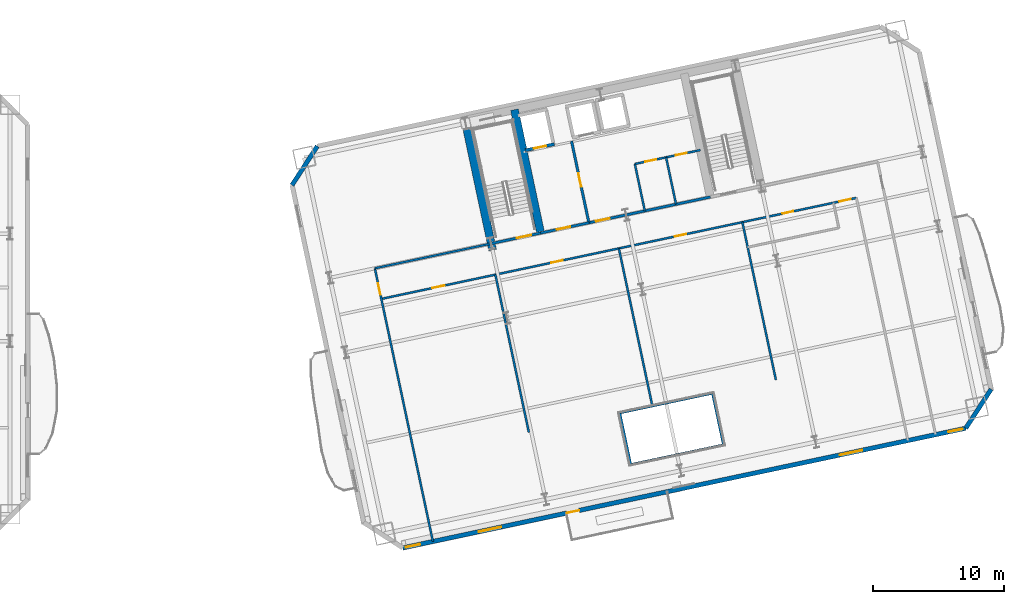
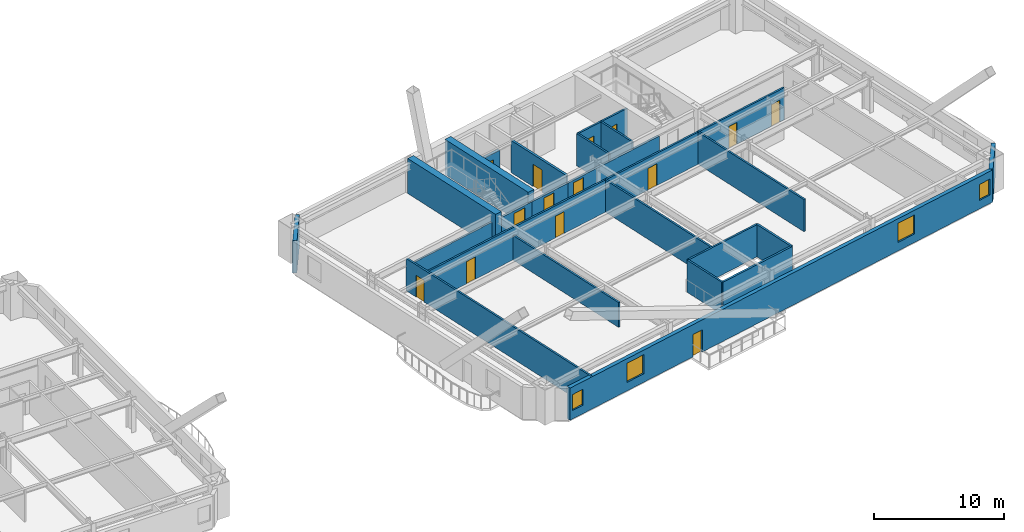
# One storey, part 8 of 18: 23 walls, 14 doors, 4 windows, 18 openings.
"""IFC4 building model written with IfcOpenShell, lengths in metres."""

from ifc_helpers import new_model, si_unit, direction, frame, frame_2d, origin, place, context, subcontext, project, spatial, rectangle, extrude, material, layer, layer_set, type_object, element, fill, save


model = new_model("IFC4")

# Units and contexts
model_context = context("Model", 3, precision=1e-05, world=origin(), true_north=direction((0.0, 1.0)))
body_context = subcontext(model_context, "Body", "Model", "MODEL_VIEW")
ifc_project = project(units=[si_unit("LENGTHUNIT", "METRE"), si_unit("AREAUNIT", "SQUARE_METRE"), si_unit("VOLUMEUNIT", "CUBIC_METRE"), si_unit("PLANEANGLEUNIT", "RADIAN"), si_unit("MASSUNIT", "GRAM", prefix="KILO")], contexts=[model_context])

# Site, building, storey
site_placement = place(None, origin())
site = spatial("IfcSite", under=ifc_project, at=site_placement, CompositionType="ELEMENT")
building_placement = place(site_placement, origin())
building = spatial("IfcBuilding", under=site, at=building_placement, Name="Haevon Station Towers", CompositionType="ELEMENT")
storey_placement = place(building_placement, frame((0.0, 0.0, 60.300048828125)))
storey = spatial("IfcBuildingStorey", under=building, at=storey_placement, Name="L15", CompositionType="ELEMENT", Elevation=60.300048828125)

# Walls
ifc_material_1 = material(Name="Gypsum board on steel stud", Category="steel")
ifc_layer_1 = layer(ifc_material_1, 0.179931640625)
ifc_layer_set_1 = layer_set([ifc_layer_1], Name="Gypsum board on steel stud")
wall_type_1 = type_object("IfcWallType", Name="WL-ACU180", PredefinedType="PARTITIONING", material=ifc_layer_set_1)
wall_1_placement = place(storey_placement, frame((109.379150390625, 20.634521484375, 0.0), z_axis=(0.0, 0.0, 1.0), x_axis=(0.978144974276, 0.207924046946, 0.0)))
element("IfcWall", 1, at=wall_1_placement, inside=storey, type_object=wall_type_1, Name="WL-T2PT-L15-06", PredefinedType="PARTITIONING", context=body_context, shape_type="SweptSolid", body=[
    extrude(rectangle(XDim=7.2001953125, YDim=0.179931640625, at=frame_2d((3.60009765625, 0.0))), origin(), (0.0, 0.0, 1.0), 3.030029296875),
])
wall_2_placement = place(storey_placement, frame((116.421875, 22.131591796875, 0.0), z_axis=(0.0, 0.0, 1.0), x_axis=(-0.207944891454, 0.978140543132, 0.0)))
element("IfcWall", 2, at=wall_2_placement, inside=storey, type_object=wall_type_1, Name="WL-T2PT-L15-09", PredefinedType="PARTITIONING", context=body_context, shape_type="SweptSolid", body=[
    extrude(rectangle(XDim=4.0, YDim=0.179931640625, at=frame_2d((2.0, 0.0))), origin(), (0.0, 0.0, 1.0), 3.030029296875),
])

# Wall, opening, door
ifc_layer_2 = layer(ifc_material_1, 0.199951171875)
ifc_layer_set_2 = layer_set([ifc_layer_2], Name="Gypsum board on steel stud")
wall_type_2 = type_object("IfcWallType", Name="WL-COR200", PredefinedType="PARTITIONING", material=ifc_layer_set_2)
wall_3_placement = place(storey_placement, frame((98.75244140625, 37.4423828125, 0.0), z_axis=(0.0, 0.0, 1.0), x_axis=(0.978143537786, 0.207930804564, 0.0)))
wall_3 = element("IfcWall", 3, at=wall_3_placement, inside=storey, type_object=wall_type_2, Name="WL-ST-ST3-L15", PredefinedType="PARTITIONING", context=body_context, shape_type="SweptSolid", body=[
    extrude(rectangle(XDim=3.85009765625, YDim=0.199951171875, at=frame_2d((1.925048828125, 0.0))), origin(), (0.0, 0.0, 1.0), 2.329833984375),
])
opening_1_placement = place(wall_3_placement, frame((2.0, 0.0, 0.0)))
opening_1 = element("IfcOpeningElement", 4, at=opening_1_placement, cuts=wall_3, Name="Opening DR-ST-ST3-L15", PredefinedType="OPENING", context=body_context, shape_type="SweptSolid", body=[
    extrude(rectangle(XDim=1.1201171875, YDim=2.10009765625, at=frame_2d((0.56005859375, 1.050048828125))), frame((0.0, 0.10986328125, 0.0), z_axis=(0.0, -1.0, 0.0), x_axis=(1.0, 0.0, 0.0)), (0.0, 0.0, 1.0), 0.219970703125),
])
ifc_material_2 = material(Name="Engineered oak timber", Category="wood")
door_type_1 = type_object("IfcDoorType", Name="DR-ST-1120", OperationType="NOTDEFINED", PredefinedType="DOOR", material=ifc_material_2)
door_1_placement = place(opening_1_placement, origin())
door_1 = element("IfcDoor", 5, at=door_1_placement, inside=storey, type_object=door_type_1, Name="L15 Escape Stair ST3 Fire Door", OperationType="SINGLE_SWING_RIGHT", OverallHeight=2.10009765625, OverallWidth=1.1201171875, PredefinedType="DOOR", context=body_context, shape_type="SweptSolid", body=[
    extrude(rectangle(XDim=1.1201171875, YDim=2.10009765625, at=frame_2d((0.56005859375, 1.050048828125))), frame((0.0, 0.02490234375, 0.0), z_axis=(0.0, -1.0, 0.0), x_axis=(1.0, 0.0, 0.0)), (0.0, 0.0, 1.0), 0.050048828125),
])
fill(opening_1, door_1)

wall_4_placement = place(storey_placement, frame((106.186279296875, 39.0224609375, 0.0), z_axis=(0.0, 0.0, 1.0), x_axis=(-0.207916691923, 0.978146537703, 0.0)))
wall_4 = element("IfcWall", 6, at=wall_4_placement, inside=storey, type_object=wall_type_2, Name="WL-T2FFL-L15-E", PredefinedType="PARTITIONING", context=body_context, shape_type="SweptSolid", body=[
    extrude(rectangle(XDim=6.35009765625, YDim=0.199951171875, at=frame_2d((3.175048828125, 0.0))), origin(), (0.0, 0.0, 1.0), 3.030029296875),
])
opening_2_placement = place(wall_4_placement, frame((2.800048828125, 0.0, 0.0)))
opening_2 = element("IfcOpeningElement", 7, at=opening_2_placement, cuts=wall_4, Name="Opening DR-T2FFL-L15-E", PredefinedType="OPENING", context=body_context, shape_type="SweptSolid", body=[
    extrude(rectangle(XDim=1.050048828125, YDim=2.10009765625, at=frame_2d((0.52490234375, 1.050048828125))), frame((0.0, 0.10986328125, 0.0), z_axis=(0.0, -1.0, 0.0), x_axis=(1.0, 0.0, 0.0)), (0.0, 0.0, 1.0), 0.219970703125),
])
door_type_2 = type_object("IfcDoorType", Name="DR-FD60-1050", OperationType="NOTDEFINED", PredefinedType="DOOR", material=ifc_material_2)
door_2_placement = place(opening_2_placement, origin())
door_2 = element("IfcDoor", 8, at=door_2_placement, inside=storey, type_object=door_type_2, Name="L15 Tower 2 Firefighting Lift Lobby Door E", OperationType="SINGLE_SWING_RIGHT", OverallHeight=2.10009765625, OverallWidth=1.050048828125, PredefinedType="DOOR", context=body_context, shape_type="SweptSolid", body=[
    extrude(rectangle(XDim=1.050048828125, YDim=2.10009765625, at=frame_2d((0.52490234375, 1.050048828125))), frame((0.0, 0.02490234375, 0.0), z_axis=(0.0, -1.0, 0.0), x_axis=(1.0, 0.0, 0.0)), (0.0, 0.0, 1.0), 0.050048828125),
])
fill(opening_2, door_2)

wall_5_placement = place(storey_placement, frame((102.518310546875, 38.242919921875, 0.0), z_axis=(0.0, 0.0, 1.0), x_axis=(0.978153555683, 0.20788367301, 0.0)))
wall_5 = element("IfcWall", 9, at=wall_5_placement, inside=storey, type_object=wall_type_2, Name="WL-T2FFL-L15-S", PredefinedType="PARTITIONING", context=body_context, shape_type="SweptSolid", body=[
    extrude(rectangle(XDim=3.75, YDim=0.199951171875, at=frame_2d((1.875, 0.0))), origin(), (0.0, 0.0, 1.0), 2.329833984375),
])
opening_3_placement = place(wall_5_placement, frame((1.25, 0.0, 0.0)))
opening_3 = element("IfcOpeningElement", 10, at=opening_3_placement, cuts=wall_5, Name="Opening DR-T2FFL-L15-S", PredefinedType="OPENING", context=body_context, shape_type="SweptSolid", body=[
    extrude(rectangle(XDim=1.050048828125, YDim=2.10009765625, at=frame_2d((0.52490234375, 1.050048828125))), frame((0.0, 0.10986328125, 0.0), z_axis=(0.0, -1.0, 0.0), x_axis=(1.0, 0.0, 0.0)), (0.0, 0.0, 1.0), 0.219970703125),
])
door_3_placement = place(opening_3_placement, origin())
door_3 = element("IfcDoor", 11, at=door_3_placement, inside=storey, type_object=door_type_2, Name="L15 Tower 2 Firefighting Lift Lobby Door S", OperationType="SINGLE_SWING_LEFT", OverallHeight=2.10009765625, OverallWidth=1.050048828125, PredefinedType="DOOR", context=body_context, shape_type="SweptSolid", body=[
    extrude(rectangle(XDim=1.050048828125, YDim=2.10009765625, at=frame_2d((0.52490234375, 1.050048828125))), frame((0.0, 0.02490234375, 0.0), z_axis=(0.0, -1.0, 0.0), x_axis=(1.0, 0.0, 0.0)), (0.0, 0.0, 1.0), 0.050048828125),
])
fill(opening_3, door_3)

wall_6_placement = place(storey_placement, frame((106.186279296875, 39.0224609375, 0.0), z_axis=(0.0, 0.0, 1.0), x_axis=(0.978145519981, 0.20792147975, 0.0)))
wall_6 = element("IfcWall", 12, at=wall_6_placement, inside=storey, type_object=wall_type_2, Name="WL-T2CLB-L15", PredefinedType="PARTITIONING", context=body_context, shape_type="SweptSolid", body=[
    extrude(rectangle(XDim=9.449951171875, YDim=0.199951171875, at=frame_2d((4.72509765625, 0.0))), origin(), (0.0, 0.0, 1.0), 2.329833984375),
])
opening_4_placement = place(wall_6_placement, frame((0.550048828125, 0.0, 0.0)))
opening_4 = element("IfcOpeningElement", 13, at=opening_4_placement, cuts=wall_6, Name="Opening DR-T2CLB-L15-1", PredefinedType="OPENING", context=body_context, shape_type="SweptSolid", body=[
    extrude(rectangle(XDim=1.050048828125, YDim=2.10009765625, at=frame_2d((0.52490234375, 1.050048828125))), frame((0.0, 0.10986328125, 0.0), z_axis=(0.0, -1.0, 0.0), x_axis=(1.0, 0.0, 0.0)), (0.0, 0.0, 1.0), 0.219970703125),
])
door_4_placement = place(opening_4_placement, origin())
door_4 = element("IfcDoor", 14, at=door_4_placement, inside=storey, type_object=door_type_2, Name="L15 Tower 2 Core Lift Lobby Door 1", OperationType="SINGLE_SWING_RIGHT", OverallHeight=2.10009765625, OverallWidth=1.050048828125, PredefinedType="DOOR", context=body_context, shape_type="SweptSolid", body=[
    extrude(rectangle(XDim=1.050048828125, YDim=2.10009765625, at=frame_2d((0.52490234375, 1.050048828125))), frame((0.0, 0.02490234375, 0.0), z_axis=(0.0, -1.0, 0.0), x_axis=(1.0, 0.0, 0.0)), (0.0, 0.0, 1.0), 0.050048828125),
])
fill(opening_4, door_4)

# Walls
ifc_material_3 = material(Name="Concrete C60/75", Category="concrete")
ifc_layer_3 = layer(ifc_material_3, 0.60009765625)
ifc_layer_set_3 = layer_set([ifc_layer_3], Name="Concrete C60/75")
wall_type_3 = type_object("IfcWallType", Name="WL-CR600", PredefinedType="SHEAR", material=ifc_layer_set_3)
wall_7_placement = place(storey_placement, frame((98.8603515625, 36.933837890625, 0.0), z_axis=(0.0, 0.0, 1.0), x_axis=(-0.20790924889, 0.978148119778, 0.0)))
element("IfcWall", 15, at=wall_7_placement, inside=storey, type_object=wall_type_3, Name="WL-T2CR-L15-W", PredefinedType="SHEAR", context=body_context, shape_type="SweptSolid", body=[
    extrude(rectangle(XDim=10.119873046875, YDim=0.60009765625, at=frame_2d((5.06005859375, 0.0))), origin(), (0.0, 0.0, 1.0), 3.300048828125),
])
wall_8_placement = place(storey_placement, frame((102.518310546875, 38.242919921875, 0.0), z_axis=(0.0, 0.0, 1.0), x_axis=(-0.207927495108, 0.978144241295, 0.0)))
element("IfcWall", 16, at=wall_8_placement, inside=storey, type_object=wall_type_3, Name="WL-T2CR-L15-M1", PredefinedType="SHEAR", context=body_context, shape_type="SweptSolid", body=[
    extrude(rectangle(XDim=9.599853515625, YDim=0.60009765625, at=frame_2d((4.7998046875, 0.0))), origin(), (0.0, 0.0, 1.0), 3.300048828125),
])

# Wall, openings, door, windows
ifc_material_4 = material(Name="Precast concrete C45/55", Category="concrete")
ifc_layer_4 = layer(ifc_material_4, 0.340087890625)
ifc_layer_set_4 = layer_set([ifc_layer_4], Name="Precast concrete C45/55")
wall_type_4 = type_object("IfcWallType", Name="WL-EXT-PIER340", PredefinedType="SOLIDWALL", material=ifc_layer_set_4)
wall_9_placement = place(storey_placement, frame((134.862548828125, 23.39306640625, 0.0), z_axis=(0.0, 0.0, 1.0), x_axis=(-0.978148154167, -0.207909087104, 0.0)))
wall_9 = element("IfcWall", 17, at=wall_9_placement, inside=storey, type_object=wall_type_4, Name="WL-T2-L15-S", PredefinedType="SOLIDWALL", context=body_context, shape_type="SweptSolid", body=[
    extrude(rectangle(XDim=43.800048828125, YDim=0.340087890625, at=frame_2d((21.89990234375, 0.0))), origin(), (0.0, 0.0, 1.0), 3.030029296875),
])
opening_5_placement = place(wall_9_placement, frame((30.074951171875, 0.0, 0.0)))
opening_5 = element("IfcOpeningElement", 18, at=opening_5_placement, cuts=wall_9, Name="Opening DR-T2-PBAND-L15-1", PredefinedType="OPENING", context=body_context, shape_type="SweptSolid", body=[
    extrude(rectangle(XDim=0.949951171875, YDim=2.10009765625, at=frame_2d((0.47509765625, 1.050048828125))), frame((0.0, 0.179931640625, 0.0), z_axis=(0.0, -1.0, 0.0), x_axis=(1.0, 0.0, 0.0)), (0.0, 0.0, 1.0), 0.360107421875),
])
opening_6_placement = place(wall_9_placement, frame((42.449951171875, 0.0, 0.800048828125)))
opening_6 = element("IfcOpeningElement", 19, at=opening_6_placement, cuts=wall_9, Name="Opening WN-COR110", PredefinedType="OPENING", context=body_context, shape_type="SweptSolid", body=[
    extrude(rectangle(XDim=1.10009765625, YDim=1.5, at=frame_2d((0.550048828125, 0.75))), frame((0.0, 0.179931640625, 0.0), z_axis=(0.0, -1.0, 0.0), x_axis=(1.0, 0.0, 0.0)), (0.0, 0.0, 1.0), 0.360107421875),
])
opening_7_placement = place(wall_9_placement, frame((0.25, 0.0, 0.800048828125)))
opening_7 = element("IfcOpeningElement", 20, at=opening_7_placement, cuts=wall_9, Name="Opening WN-COR110", PredefinedType="OPENING", context=body_context, shape_type="SweptSolid", body=[
    extrude(rectangle(XDim=1.10009765625, YDim=1.5, at=frame_2d((0.550048828125, 0.75))), frame((0.0, 0.179931640625, 0.0), z_axis=(0.0, -1.0, 0.0), x_axis=(1.0, 0.0, 0.0)), (0.0, 0.0, 1.0), 0.360107421875),
])
opening_8_placement = place(wall_9_placement, frame((36.14111328125, 0.0, 0.800048828125)))
opening_8 = element("IfcOpeningElement", 21, at=opening_8_placement, cuts=wall_9, Name="Opening WN-P175", PredefinedType="OPENING", context=body_context, shape_type="SweptSolid", body=[
    extrude(rectangle(XDim=1.75, YDim=1.800048828125, at=frame_2d((0.875, 0.89990234375))), frame((0.0, 0.179931640625, 0.0), z_axis=(0.0, -1.0, 0.0), x_axis=(1.0, 0.0, 0.0)), (0.0, 0.0, 1.0), 0.360107421875),
])
opening_9_placement = place(wall_9_placement, frame((8.05908203125, 0.0, 0.800048828125)))
opening_9 = element("IfcOpeningElement", 22, at=opening_9_placement, cuts=wall_9, Name="Opening WN-P175", PredefinedType="OPENING", context=body_context, shape_type="SweptSolid", body=[
    extrude(rectangle(XDim=1.75, YDim=1.800048828125, at=frame_2d((0.875, 0.89990234375))), frame((0.0, 0.179931640625, 0.0), z_axis=(0.0, -1.0, 0.0), x_axis=(1.0, 0.0, 0.0)), (0.0, 0.0, 1.0), 0.360107421875),
])
ifc_material_5 = material(Name="Thermally broken anodised aluminium and laminated safety glass", Category="aluminium")
door_type_3 = type_object("IfcDoorType", Name="DR-BALC-950", OperationType="NOTDEFINED", PredefinedType="DOOR", material=ifc_material_5)
door_5_placement = place(opening_5_placement, origin())
door_5 = element("IfcDoor", 23, at=door_5_placement, inside=storey, type_object=door_type_3, Name="Tower 2 L15 Balcony Terrace Door", OperationType="SINGLE_SWING_RIGHT", OverallHeight=2.10009765625, OverallWidth=0.949951171875, PredefinedType="DOOR", context=body_context, shape_type="SweptSolid", body=[
    extrude(rectangle(XDim=0.949951171875, YDim=2.10009765625, at=frame_2d((0.47509765625, 1.050048828125))), frame((0.0, 0.02490234375, 0.0), z_axis=(0.0, -1.0, 0.0), x_axis=(1.0, 0.0, 0.0)), (0.0, 0.0, 1.0), 0.050048828125),
])
fill(opening_5, door_5)
ifc_material_6 = material(Name="Low-E triple glazing in thermally broken aluminium", Category="aluminium")
window_type_1 = type_object("IfcWindowType", Name="WN-COR110", PartitioningType="SINGLE_PANEL", PredefinedType="WINDOW", material=ifc_material_6)
window_1_placement = place(opening_6_placement, origin())
window_1 = element("IfcWindow", 24, at=window_1_placement, inside=storey, type_object=window_type_1, Name="WN-T2-L15-S01", OverallHeight=1.5, OverallWidth=1.10009765625, PartitioningType="SINGLE_PANEL", PredefinedType="WINDOW", context=body_context, shape_type="SweptSolid", body=[
    extrude(rectangle(XDim=1.10009765625, YDim=1.5, at=frame_2d((0.550048828125, 0.75))), frame((0.0, 0.030029296875, 0.0), z_axis=(0.0, -1.0, 0.0), x_axis=(1.0, 0.0, 0.0)), (0.0, 0.0, 1.0), 0.06005859375),
])
fill(opening_6, window_1)
window_2_placement = place(opening_7_placement, origin())
window_2 = element("IfcWindow", 25, at=window_2_placement, inside=storey, type_object=window_type_1, Name="WN-T2-L15-S02", OverallHeight=1.5, OverallWidth=1.10009765625, PartitioningType="SINGLE_PANEL", PredefinedType="WINDOW", context=body_context, shape_type="SweptSolid", body=[
    extrude(rectangle(XDim=1.10009765625, YDim=1.5, at=frame_2d((0.550048828125, 0.75))), frame((0.0, 0.030029296875, 0.0), z_axis=(0.0, -1.0, 0.0), x_axis=(1.0, 0.0, 0.0)), (0.0, 0.0, 1.0), 0.06005859375),
])
fill(opening_7, window_2)
window_type_2 = type_object("IfcWindowType", Name="WN-P175", PartitioningType="SINGLE_PANEL", PredefinedType="WINDOW", material=ifc_material_6)
window_3_placement = place(opening_8_placement, origin())
window_3 = element("IfcWindow", 26, at=window_3_placement, inside=storey, type_object=window_type_2, Name="WN-T2-L15-S03", OverallHeight=1.800048828125, OverallWidth=1.75, PartitioningType="SINGLE_PANEL", PredefinedType="WINDOW", context=body_context, shape_type="SweptSolid", body=[
    extrude(rectangle(XDim=1.75, YDim=1.800048828125, at=frame_2d((0.875, 0.89990234375))), frame((0.0, 0.030029296875, 0.0), z_axis=(0.0, -1.0, 0.0), x_axis=(1.0, 0.0, 0.0)), (0.0, 0.0, 1.0), 0.06005859375),
])
fill(opening_8, window_3)
window_4_placement = place(opening_9_placement, origin())
window_4 = element("IfcWindow", 27, at=window_4_placement, inside=storey, type_object=window_type_2, Name="WN-T2-L15-S04", OverallHeight=1.800048828125, OverallWidth=1.75, PartitioningType="SINGLE_PANEL", PredefinedType="WINDOW", context=body_context, shape_type="SweptSolid", body=[
    extrude(rectangle(XDim=1.75, YDim=1.800048828125, at=frame_2d((0.875, 0.89990234375))), frame((0.0, 0.030029296875, 0.0), z_axis=(0.0, -1.0, 0.0), x_axis=(1.0, 0.0, 0.0)), (0.0, 0.0, 1.0), 0.06005859375),
])
fill(opening_9, window_4)

# Walls
wall_10_placement = place(storey_placement, frame((83.5966796875, 41.888427734375, 0.0), z_axis=(0.0, 0.0, 1.0), x_axis=(0.544653380146, 0.838661251934, 0.0)))
element("IfcWall", 28, at=wall_10_placement, inside=storey, type_object=wall_type_4, Name="WL-T2-L15-NWC", PredefinedType="SOLIDWALL", context=body_context, shape_type="SweptSolid", body=[
    extrude(rectangle(XDim=3.535888671875, YDim=0.340087890625, at=frame_2d((1.76806640625, 0.0))), origin(), (0.0, 0.0, 1.0), 3.030029296875),
])
wall_11_placement = place(storey_placement, frame((136.7880859375, 26.358154296875, 0.0), z_axis=(0.0, 0.0, 1.0), x_axis=(-0.544636352948, -0.838672309694, 0.0)))
element("IfcWall", 29, at=wall_11_placement, inside=storey, type_object=wall_type_4, Name="WL-T2-L15-SEC", PredefinedType="SOLIDWALL", context=body_context, shape_type="SweptSolid", body=[
    extrude(rectangle(XDim=3.535400390625, YDim=0.340087890625, at=frame_2d((1.767578125, 0.0))), origin(), (0.0, 0.0, 1.0), 3.030029296875),
])
ifc_layer_5 = layer(ifc_material_1, 0.159912109375)
ifc_layer_set_5 = layer_set([ifc_layer_5], Name="Gypsum board on steel stud")
wall_type_5 = type_object("IfcWallType", Name="WL-PRT160", PredefinedType="PARTITIONING", material=ifc_layer_set_5)
for number, where, z_axis, x_axis, name in (
    (30, (110.441162109375, 39.927001953125, 0.0), (0.0, 0.0, 1.0), (-0.207884354546, 0.978153410838, 0.0), "WL-T2CW-L15-01"),
    (31, (112.818115234375, 40.43212890625, 0.0), (0.0, 0.0, 1.0), (-0.207884354546, 0.978153410838, 0.0), "WL-T2CW-L15-02"),
):
    element("IfcWall", number, at=place(storey_placement, frame(where, z_axis=z_axis, x_axis=x_axis)), inside=storey, type_object=wall_type_5, Name=name, PredefinedType="PARTITIONING", context=body_context, shape_type="SweptSolid", body=[
        extrude(rectangle(XDim=3.650146484375, YDim=0.159912109375, at=frame_2d((1.8251953125, 0.0))), origin(), (0.0, 0.0, 1.0), 3.030029296875),
    ])

# Wall, openings, doors
wall_12_placement = place(storey_placement, frame((109.682373046875, 43.497314453125, 0.0), z_axis=(0.0, 0.0, 1.0), x_axis=(0.978149238447, 0.207903985835, 0.0)))
wall_12 = element("IfcWall", 32, at=wall_12_placement, inside=storey, type_object=wall_type_5, Name="WL-T2CW-L15-03", PredefinedType="PARTITIONING", context=body_context, shape_type="SweptSolid", body=[
    extrude(rectangle(XDim=5.099853515625, YDim=0.159912109375, at=frame_2d((2.5498046875, 0.0))), origin(), (0.0, 0.0, 1.0), 3.030029296875),
])
opening_10_placement = place(wall_12_placement, frame((0.81005859375, 0.0, 0.0)))
opening_10 = element("IfcOpeningElement", 33, at=opening_10_placement, cuts=wall_12, Name="Opening DR-WL-T2CW-L15-03-1", PredefinedType="OPENING", context=body_context, shape_type="SweptSolid", body=[
    extrude(rectangle(XDim=0.85009765625, YDim=2.050048828125, at=frame_2d((0.425048828125, 1.02490234375))), frame((0.0, 0.08984375, 0.0), z_axis=(0.0, -1.0, 0.0), x_axis=(1.0, 0.0, 0.0)), (0.0, 0.0, 1.0), 0.179931640625),
])
opening_11_placement = place(wall_12_placement, frame((3.179931640625, 0.0, 0.0)))
opening_11 = element("IfcOpeningElement", 34, at=opening_11_placement, cuts=wall_12, Name="Opening DR-WL-T2CW-L15-03-2", PredefinedType="OPENING", context=body_context, shape_type="SweptSolid", body=[
    extrude(rectangle(XDim=0.85009765625, YDim=2.050048828125, at=frame_2d((0.425048828125, 1.02490234375))), frame((0.0, 0.08984375, 0.0), z_axis=(0.0, -1.0, 0.0), x_axis=(1.0, 0.0, 0.0)), (0.0, 0.0, 1.0), 0.179931640625),
])
door_type_4 = type_object("IfcDoorType", Name="DR-FD30-850", OperationType="NOTDEFINED", PredefinedType="DOOR", material=ifc_material_2)
door_6_placement = place(opening_10_placement, origin())
door_6 = element("IfcDoor", 35, at=door_6_placement, inside=storey, type_object=door_type_4, Name="L15 Tower 2 Core Room Door 3-1", OperationType="SINGLE_SWING_LEFT", OverallHeight=2.050048828125, OverallWidth=0.85009765625, PredefinedType="DOOR", context=body_context, shape_type="SweptSolid", body=[
    extrude(rectangle(XDim=0.85009765625, YDim=2.050048828125, at=frame_2d((0.425048828125, 1.02490234375))), frame((0.0, 0.02490234375, 0.0), z_axis=(0.0, -1.0, 0.0), x_axis=(1.0, 0.0, 0.0)), (0.0, 0.0, 1.0), 0.050048828125),
])
fill(opening_10, door_6)
door_7_placement = place(opening_11_placement, origin())
door_7 = element("IfcDoor", 36, at=door_7_placement, inside=storey, type_object=door_type_4, Name="L15 Tower 2 Core Room Door 3-2", OperationType="SINGLE_SWING_RIGHT", OverallHeight=2.050048828125, OverallWidth=0.85009765625, PredefinedType="DOOR", context=body_context, shape_type="SweptSolid", body=[
    extrude(rectangle(XDim=0.85009765625, YDim=2.050048828125, at=frame_2d((0.425048828125, 1.02490234375))), frame((0.0, 0.02490234375, 0.0), z_axis=(0.0, -1.0, 0.0), x_axis=(1.0, 0.0, 0.0)), (0.0, 0.0, 1.0), 0.050048828125),
])
fill(opening_11, door_7)

# Wall
wall_13_placement = place(storey_placement, frame((89.900146484375, 35.560791015625, 0.0), z_axis=(0.0, 0.0, 1.0), x_axis=(0.978148085545, 0.207909409948, 0.0)))
element("IfcWall", 37, at=wall_13_placement, inside=storey, type_object=wall_type_5, Name="WL-T2PT-L15-02", PredefinedType="PARTITIONING", context=body_context, shape_type="SweptSolid", body=[
    extrude(rectangle(XDim=9.050048828125, YDim=0.159912109375, at=frame_2d((4.52490234375, 0.0))), origin(), (0.0, 0.0, 1.0), 2.329833984375),
])

# Wall, opening, door
wall_14_placement = place(storey_placement, frame((94.318359375, 14.775146484375, 0.0), z_axis=(0.0, 0.0, 1.0), x_axis=(-0.207915642033, 0.978146760869, 0.0)))
wall_14 = element("IfcWall", 38, at=wall_14_placement, inside=storey, type_object=wall_type_5, Name="WL-T2PT-L15-04", PredefinedType="PARTITIONING", context=body_context, shape_type="SweptSolid", body=[
    extrude(rectangle(XDim=21.25, YDim=0.159912109375, at=frame_2d((10.625, 0.0))), origin(), (0.0, 0.0, 1.0), 3.030029296875),
])
opening_12_placement = place(wall_14_placement, frame((19.18994140625, 0.0, 0.0)))
opening_12 = element("IfcOpeningElement", 39, at=opening_12_placement, cuts=wall_14, Name="Opening DR-WL-T2PT-L15-04-01", PredefinedType="OPENING", context=body_context, shape_type="SweptSolid", body=[
    extrude(rectangle(XDim=0.89990234375, YDim=2.050048828125, at=frame_2d((0.449951171875, 1.02490234375))), frame((0.0, 0.08984375, 0.0), z_axis=(0.0, -1.0, 0.0), x_axis=(1.0, 0.0, 0.0)), (0.0, 0.0, 1.0), 0.179931640625),
])
door_type_5 = type_object("IfcDoorType", Name="DR-INT-900", OperationType="NOTDEFINED", PredefinedType="DOOR", material=ifc_material_2)
door_8_placement = place(opening_12_placement, origin())
door_8 = element("IfcDoor", 40, at=door_8_placement, inside=storey, type_object=door_type_5, Name="L15 Tower 2 Room Door 4-1", OperationType="SINGLE_SWING_LEFT", OverallHeight=2.050048828125, OverallWidth=0.89990234375, PredefinedType="DOOR", context=body_context, shape_type="SweptSolid", body=[
    extrude(rectangle(XDim=0.89990234375, YDim=2.050048828125, at=frame_2d((0.449951171875, 1.02490234375))), frame((0.0, 0.02490234375, 0.0), z_axis=(0.0, -1.0, 0.0), x_axis=(1.0, 0.0, 0.0)), (0.0, 0.0, 1.0), 0.050048828125),
])
fill(opening_12, door_8)

# Walls
wall_15_placement = place(storey_placement, frame((108.54736328125, 24.547119140625, 0.0), z_axis=(0.0, 0.0, 1.0), x_axis=(0.978144974276, 0.207924046946, 0.0)))
element("IfcWall", 41, at=wall_15_placement, inside=storey, type_object=wall_type_5, Name="WL-T2PT-L15-07", PredefinedType="PARTITIONING", context=body_context, shape_type="SweptSolid", body=[
    extrude(rectangle(XDim=7.2001953125, YDim=0.159912109375, at=frame_2d((3.60009765625, 0.0))), origin(), (0.0, 0.0, 1.0), 3.030029296875),
])
wall_16_placement = place(storey_placement, frame((109.379150390625, 20.634521484375, 0.0), z_axis=(0.0, 0.0, 1.0), x_axis=(-0.207944891454, 0.978140543132, 0.0)))
element("IfcWall", 42, at=wall_16_placement, inside=storey, type_object=wall_type_5, Name="WL-T2PT-L15-08", PredefinedType="PARTITIONING", context=body_context, shape_type="SweptSolid", body=[
    extrude(rectangle(XDim=4.0, YDim=0.159912109375, at=frame_2d((2.0, 0.0))), origin(), (0.0, 0.0, 1.0), 3.030029296875),
])
wall_17_placement = place(storey_placement, frame((101.6201171875, 23.07470703125, 0.0), z_axis=(0.0, 0.0, 1.0), x_axis=(-0.207906349531, 0.978148736044, 0.0)))
element("IfcWall", 43, at=wall_17_placement, inside=storey, type_object=wall_type_5, Name="WL-T2PT-L15-10", PredefinedType="PARTITIONING", context=body_context, shape_type="SweptSolid", body=[
    extrude(rectangle(XDim=12.27001953125, YDim=0.159912109375, at=frame_2d((6.135009765625, 0.0))), origin(), (0.0, 0.0, 1.0), 2.329833984375),
])
wall_18_placement = place(storey_placement, frame((111.017333984375, 25.072021484375, 0.0), z_axis=(0.0, 0.0, 1.0), x_axis=(-0.207906349531, 0.978148736044, 0.0)))
element("IfcWall", 44, at=wall_18_placement, inside=storey, type_object=wall_type_5, Name="WL-T2PT-L15-11", PredefinedType="PARTITIONING", context=body_context, shape_type="SweptSolid", body=[
    extrude(rectangle(XDim=12.27001953125, YDim=0.159912109375, at=frame_2d((6.135009765625, 0.0))), origin(), (0.0, 0.0, 1.0), 3.030029296875),
])
wall_19_placement = place(storey_placement, frame((120.414306640625, 27.069580078125, 0.0), z_axis=(0.0, 0.0, 1.0), x_axis=(-0.207910395978, 0.97814787596, 0.0)))
element("IfcWall", 45, at=wall_19_placement, inside=storey, type_object=wall_type_5, Name="WL-T2PT-L15-13", PredefinedType="PARTITIONING", context=body_context, shape_type="SweptSolid", body=[
    extrude(rectangle(XDim=12.269775390625, YDim=0.159912109375, at=frame_2d((6.134765625, 0.0))), origin(), (0.0, 0.0, 1.0), 3.030029296875),
])

# Wall, openings, doors
wall_20_placement = place(storey_placement, frame((90.39501953125, 33.23291015625, 0.0), z_axis=(0.0, 0.0, 1.0), x_axis=(0.97814877431, 0.207906169498, 0.0)))
wall_20 = element("IfcWall", 46, at=wall_20_placement, inside=storey, type_object=wall_type_5, Name="WL-T2PT-L15-17", PredefinedType="PARTITIONING", context=body_context, shape_type="SweptSolid", body=[
    extrude(rectangle(XDim=36.949951171875, YDim=0.159912109375, at=frame_2d((18.47509765625, 0.0))), origin(), (0.0, 0.0, 1.0), 3.030029296875),
])
opening_13_placement = place(wall_20_placement, frame((3.958984375, 0.0, 0.0)))
opening_13 = element("IfcOpeningElement", 47, at=opening_13_placement, cuts=wall_20, Name="Opening DR-WL-T2PT-L15-17-01", PredefinedType="OPENING", context=body_context, shape_type="SweptSolid", body=[
    extrude(rectangle(XDim=0.949951171875, YDim=2.10009765625, at=frame_2d((0.47509765625, 1.050048828125))), frame((0.0, 0.08984375, 0.0), z_axis=(0.0, -1.0, 0.0), x_axis=(1.0, 0.0, 0.0)), (0.0, 0.0, 1.0), 0.179931640625),
])
opening_14_placement = place(wall_20_placement, frame((13.221923828125, 0.0, 0.0)))
opening_14 = element("IfcOpeningElement", 48, at=opening_14_placement, cuts=wall_20, Name="Opening DR-WL-T2PT-L15-17-02", PredefinedType="OPENING", context=body_context, shape_type="SweptSolid", body=[
    extrude(rectangle(XDim=0.89990234375, YDim=2.050048828125, at=frame_2d((0.449951171875, 1.02490234375))), frame((0.0, 0.08984375, 0.0), z_axis=(0.0, -1.0, 0.0), x_axis=(1.0, 0.0, 0.0)), (0.0, 0.0, 1.0), 0.179931640625),
])
opening_15_placement = place(wall_20_placement, frame((22.827880859375, 0.0, 0.0)))
opening_15 = element("IfcOpeningElement", 49, at=opening_15_placement, cuts=wall_20, Name="Opening DR-WL-T2PT-L15-17-03", PredefinedType="OPENING", context=body_context, shape_type="SweptSolid", body=[
    extrude(rectangle(XDim=0.89990234375, YDim=2.050048828125, at=frame_2d((0.449951171875, 1.02490234375))), frame((0.0, 0.08984375, 0.0), z_axis=(0.0, -1.0, 0.0), x_axis=(1.0, 0.0, 0.0)), (0.0, 0.0, 1.0), 0.179931640625),
])
opening_16_placement = place(wall_20_placement, frame((31.200927734375, 0.0, 0.0)))
opening_16 = element("IfcOpeningElement", 50, at=opening_16_placement, cuts=wall_20, Name="Opening DR-WL-T2PT-L15-17-04", PredefinedType="OPENING", context=body_context, shape_type="SweptSolid", body=[
    extrude(rectangle(XDim=0.85009765625, YDim=2.050048828125, at=frame_2d((0.425048828125, 1.02490234375))), frame((0.0, 0.08984375, 0.0), z_axis=(0.0, -1.0, 0.0), x_axis=(1.0, 0.0, 0.0)), (0.0, 0.0, 1.0), 0.179931640625),
])
opening_17_placement = place(wall_20_placement, frame((35.610107421875, 0.0, 0.0)))
opening_17 = element("IfcOpeningElement", 51, at=opening_17_placement, cuts=wall_20, Name="Opening DR-WL-T2PT-L15-17-05", PredefinedType="OPENING", context=body_context, shape_type="SweptSolid", body=[
    extrude(rectangle(XDim=0.89990234375, YDim=2.050048828125, at=frame_2d((0.449951171875, 1.02490234375))), frame((0.0, 0.08984375, 0.0), z_axis=(0.0, -1.0, 0.0), x_axis=(1.0, 0.0, 0.0)), (0.0, 0.0, 1.0), 0.179931640625),
])
door_9_placement = place(opening_16_placement, origin())
door_9 = element("IfcDoor", 52, at=door_9_placement, inside=storey, type_object=door_type_4, Name="L15 Tower 2 Room Door 17-4", OperationType="SINGLE_SWING_RIGHT", OverallHeight=2.050048828125, OverallWidth=0.85009765625, PredefinedType="DOOR", context=body_context, shape_type="SweptSolid", body=[
    extrude(rectangle(XDim=0.85009765625, YDim=2.050048828125, at=frame_2d((0.425048828125, 1.02490234375))), frame((0.0, 0.02490234375, 0.0), z_axis=(0.0, -1.0, 0.0), x_axis=(1.0, 0.0, 0.0)), (0.0, 0.0, 1.0), 0.050048828125),
])
fill(opening_16, door_9)
door_type_6 = type_object("IfcDoorType", Name="DR-FD30-950", OperationType="NOTDEFINED", PredefinedType="DOOR", material=ifc_material_2)
door_10_placement = place(opening_13_placement, origin())
door_10 = element("IfcDoor", 53, at=door_10_placement, inside=storey, type_object=door_type_6, Name="L15 Tower 2 Room Door 17-1", OperationType="SINGLE_SWING_LEFT", OverallHeight=2.10009765625, OverallWidth=0.949951171875, PredefinedType="DOOR", context=body_context, shape_type="SweptSolid", body=[
    extrude(rectangle(XDim=0.949951171875, YDim=2.10009765625, at=frame_2d((0.47509765625, 1.050048828125))), frame((0.0, 0.02490234375, 0.0), z_axis=(0.0, -1.0, 0.0), x_axis=(1.0, 0.0, 0.0)), (0.0, 0.0, 1.0), 0.050048828125),
])
fill(opening_13, door_10)
door_11_placement = place(opening_14_placement, origin())
door_11 = element("IfcDoor", 54, at=door_11_placement, inside=storey, type_object=door_type_5, Name="L15 Tower 2 Room Door 17-2", OperationType="SINGLE_SWING_RIGHT", OverallHeight=2.050048828125, OverallWidth=0.89990234375, PredefinedType="DOOR", context=body_context, shape_type="SweptSolid", body=[
    extrude(rectangle(XDim=0.89990234375, YDim=2.050048828125, at=frame_2d((0.449951171875, 1.02490234375))), frame((0.0, 0.02490234375, 0.0), z_axis=(0.0, -1.0, 0.0), x_axis=(1.0, 0.0, 0.0)), (0.0, 0.0, 1.0), 0.050048828125),
])
fill(opening_14, door_11)
door_12_placement = place(opening_15_placement, origin())
door_12 = element("IfcDoor", 55, at=door_12_placement, inside=storey, type_object=door_type_5, Name="L15 Tower 2 Room Door 17-3", OperationType="SINGLE_SWING_LEFT", OverallHeight=2.050048828125, OverallWidth=0.89990234375, PredefinedType="DOOR", context=body_context, shape_type="SweptSolid", body=[
    extrude(rectangle(XDim=0.89990234375, YDim=2.050048828125, at=frame_2d((0.449951171875, 1.02490234375))), frame((0.0, 0.02490234375, 0.0), z_axis=(0.0, -1.0, 0.0), x_axis=(1.0, 0.0, 0.0)), (0.0, 0.0, 1.0), 0.050048828125),
])
fill(opening_15, door_12)
door_13_placement = place(opening_17_placement, origin())
door_13 = element("IfcDoor", 56, at=door_13_placement, inside=storey, type_object=door_type_5, Name="L15 Tower 2 Room Door 17-5", OperationType="SINGLE_SWING_LEFT", OverallHeight=2.050048828125, OverallWidth=0.89990234375, PredefinedType="DOOR", context=body_context, shape_type="SweptSolid", body=[
    extrude(rectangle(XDim=0.89990234375, YDim=2.050048828125, at=frame_2d((0.449951171875, 1.02490234375))), frame((0.0, 0.02490234375, 0.0), z_axis=(0.0, -1.0, 0.0), x_axis=(1.0, 0.0, 0.0)), (0.0, 0.0, 1.0), 0.050048828125),
])
fill(opening_17, door_13)

# Wall, opening, door
ifc_material_7 = material(Name="Concrete C40/50", Category="concrete")
ifc_layer_6 = layer(ifc_material_7, 0.239990234375)
ifc_layer_set_6 = layer_set([ifc_layer_6], Name="Concrete C40/50")
wall_type_6 = type_object("IfcWallType", Name="WL-SHF240", PredefinedType="PARTITIONING", material=ifc_layer_set_6)
wall_21_placement = place(storey_placement, frame((101.353759765625, 44.538330078125, 0.0), z_axis=(0.0, 0.0, 1.0), x_axis=(0.978141002414, 0.207942731049, 0.0)))
wall_21 = element("IfcWall", 57, at=wall_21_placement, inside=storey, type_object=wall_type_6, Name="WL-SHF-FL2-L15", PredefinedType="PARTITIONING", context=body_context, shape_type="SweptSolid", body=[
    extrude(rectangle(XDim=2.260009765625, YDim=0.239990234375, at=frame_2d((1.1298828125, 0.0))), origin(), (0.0, 0.0, 1.0), 2.72998046875),
])
opening_18_placement = place(wall_21_placement, frame((0.655029296875, 0.0, 0.0)))
opening_18 = element("IfcOpeningElement", 58, at=opening_18_placement, cuts=wall_21, Name="Opening LD-FL2-L15", PredefinedType="OPENING", context=body_context, shape_type="SweptSolid", body=[
    extrude(rectangle(XDim=0.949951171875, YDim=2.14990234375, at=frame_2d((0.47509765625, 1.074951171875))), frame((0.0, 0.1298828125, 0.0), z_axis=(0.0, -1.0, 0.0), x_axis=(1.0, 0.0, 0.0)), (0.0, 0.0, 1.0), 0.260009765625),
])
ifc_material_8 = material(Name="Stainless steel and rated core", Category="steel")
door_type_7 = type_object("IfcDoorType", Name="LD-FL950", OperationType="SLIDING_TO_LEFT", PredefinedType="DOOR", material=ifc_material_8)
door_14_placement = place(opening_18_placement, origin())
door_14 = element("IfcDoor", 59, at=door_14_placement, inside=storey, type_object=door_type_7, Name="L15 Lift FL2 Sliding Landing Door", OperationType="SLIDING_TO_LEFT", OverallHeight=2.14990234375, OverallWidth=0.949951171875, PredefinedType="DOOR", context=body_context, shape_type="SweptSolid", body=[
    extrude(rectangle(XDim=0.949951171875, YDim=2.14990234375, at=frame_2d((0.47509765625, 1.074951171875))), frame((0.0, 0.02490234375, 0.0), z_axis=(0.0, -1.0, 0.0), x_axis=(1.0, 0.0, 0.0)), (0.0, 0.0, 1.0), 0.050048828125),
])
fill(opening_18, door_14)

save(model, "model.ifc")
